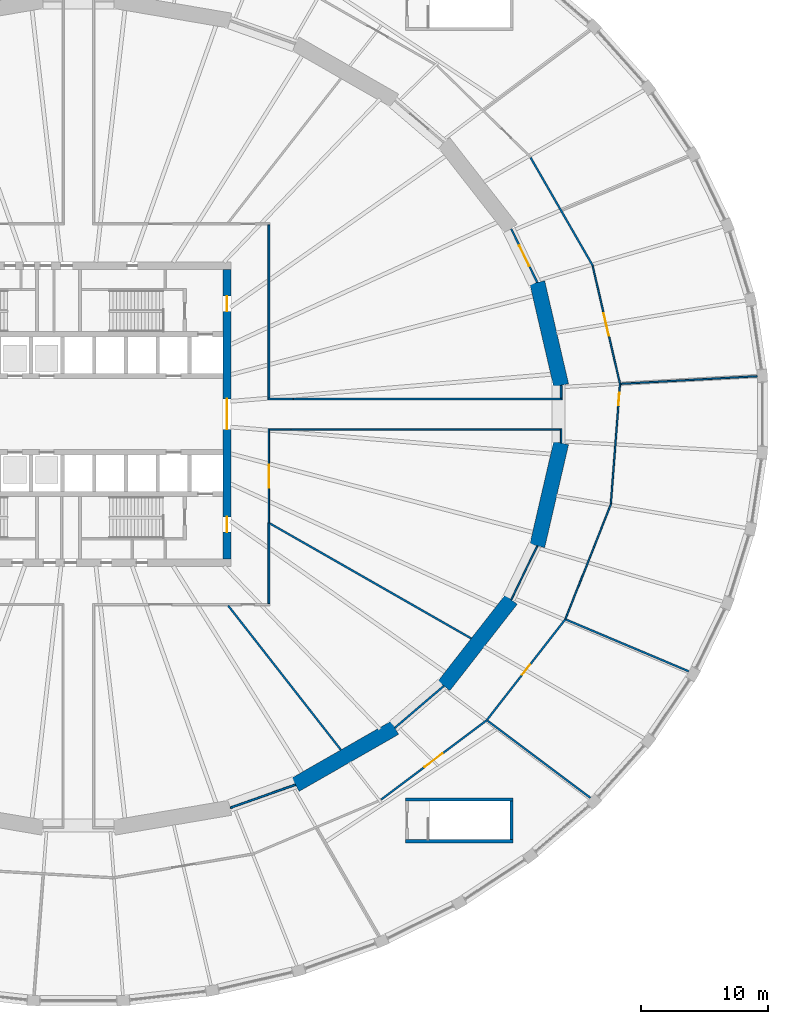
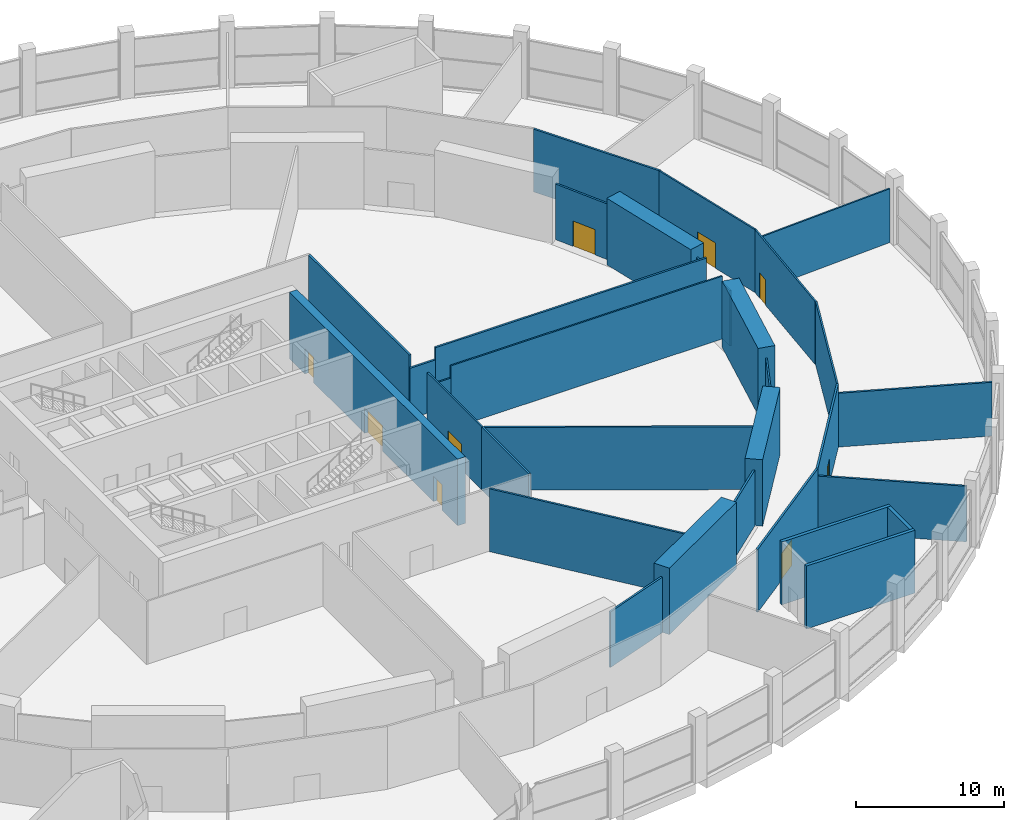
# One storey, part 22 of 26: 32 walls, 9 doors, 9 openings.
"""IFC4 building model written with IfcOpenShell, lengths in metres."""

from ifc_helpers import new_model, si_unit, direction, frame, frame_2d, origin, place, context, subcontext, project, spatial, polyline, rectangle, outline, extrude, material, layer, layer_set, type_object, element, fill, save


model = new_model("IFC4")

# Units and contexts
model_context = context("Model", 3, precision=1e-05, world=origin(), true_north=direction((0.0, 1.0)))
body_context = subcontext(model_context, "Body", "Model", "MODEL_VIEW")
ifc_project = project(units=[si_unit("LENGTHUNIT", "METRE"), si_unit("AREAUNIT", "SQUARE_METRE"), si_unit("VOLUMEUNIT", "CUBIC_METRE"), si_unit("PLANEANGLEUNIT", "RADIAN"), si_unit("MASSUNIT", "GRAM", prefix="KILO")], contexts=[model_context])

# Site, building, storey
site_placement = place(None, origin())
site = spatial("IfcSite", under=ifc_project, at=site_placement, CompositionType="ELEMENT")
building_placement = place(site_placement, origin())
building = spatial("IfcBuilding", under=site, at=building_placement, Name="Halqa Exchange Tower", CompositionType="ELEMENT")
storey_placement = place(building_placement, frame((0.0, 0.0, 18.0)))
storey = spatial("IfcBuildingStorey", under=building, at=storey_placement, Name="L03", CompositionType="ELEMENT", Elevation=18.0)

# Walls
ifc_material_1 = material(Name="Fire-rated gypsum board")
ifc_layer_1 = layer(ifc_material_1, 0.14990234375)
ifc_layer_set_1 = layer_set([ifc_layer_1], Name="Fire-rated gypsum board")
wall_type_1 = type_object("IfcWallType", Name="Fire partition EI 60 150", PredefinedType="PARTITIONING", material=ifc_layer_set_1)
wall_1_placement = place(storey_placement, frame((11.7880859375, -15.074462890625, 0.0), z_axis=(0.0, 0.0, 1.0), x_axis=(0.615848120598, -0.787864894735, 0.0)))
element("IfcWall", 1, at=wall_1_placement, inside=storey, type_object=wall_type_1, Name="L03-PWL-052", PredefinedType="PARTITIONING", context=body_context, shape_type="SweptSolid", body=[
    extrude(outline(polyline([(0.0, -0.074951171875), (14.427734375, -0.074951171875), (14.44921875, 0.074951171875), (0.0, 0.074951171875), (0.0, -0.074951171875)])), origin(), (0.0, 0.0, 1.0), 5.199951171875),
])
wall_2_placement = place(storey_placement, frame((11.966796875, -31.01123046875, 0.0), z_axis=(0.0, 0.0, 1.0), x_axis=(0.942814385805, 0.333318217204, 0.0)))
element("IfcWall", 2, at=wall_2_placement, inside=storey, type_object=wall_type_1, Name="L03-PWL-054", PredefinedType="PARTITIONING", context=body_context, shape_type="SweptSolid", body=[
    extrude(outline(polyline([(-0.012939453125, -0.074951171875), (5.448486328125, -0.074951171875), (5.421142578125, 0.074951171875), (0.012939453125, 0.074951171875), (-0.012939453125, -0.074951171875)])), origin(), (0.0, 0.0, 1.0), 4.60009765625),
])
wall_3_placement = place(storey_placement, frame((15.0, -8.55908203125, 0.0), z_axis=(0.0, 0.0, 1.0), x_axis=(0.0, -1.0, 0.0)))
element("IfcWall", 3, at=wall_3_placement, inside=storey, type_object=wall_type_1, Name="L03-PWL-057", PredefinedType="PARTITIONING", context=body_context, shape_type="SweptSolid", body=[
    extrude(rectangle(XDim=6.365966796875, YDim=0.14990234375, at=frame_2d((3.18310546875, 0.0))), origin(), (0.0, 0.0, 1.0), 5.199951171875),
])
wall_4_placement = place(storey_placement, frame((15.07421875, -8.602294921875, 0.0), z_axis=(0.0, 0.0, 1.0), x_axis=(0.868343386691, -0.495963469209, 0.0)))
element("IfcWall", 4, at=wall_4_placement, inside=storey, type_object=wall_type_1, Name="L03-PWL-058", PredefinedType="PARTITIONING", context=body_context, shape_type="SweptSolid", body=[
    extrude(outline(polyline([(0.0, -0.074951171875), (18.270751953125, -0.074951171875), (18.292236328125, 0.074951171875), (0.0, 0.074951171875), (0.0, -0.074951171875)])), origin(), (0.0, 0.0, 1.0), 5.199951171875),
])
wall_5_placement = place(storey_placement, frame((14.925048828125, 1.199951171875, 0.0), z_axis=(0.0, 0.0, 1.0), x_axis=(1.0, 0.0, 0.0)))
element("IfcWall", 5, at=wall_5_placement, inside=storey, type_object=wall_type_1, Name="L03-PWL-060", PredefinedType="PARTITIONING", context=body_context, shape_type="SweptSolid", body=[
    extrude(rectangle(XDim=1.992919921875, YDim=0.14990234375, at=frame_2d((0.99658203125, 0.0))), origin(), (0.0, 0.0, 1.0), 4.19189453125),
])
wall_6_placement = place(storey_placement, frame((15.0, 14.925048828125, 0.0), z_axis=(0.0, 0.0, 1.0), x_axis=(0.0, -1.0, 0.0)))
element("IfcWall", 6, at=wall_6_placement, inside=storey, type_object=wall_type_1, Name="L03-PWL-061", PredefinedType="PARTITIONING", context=body_context, shape_type="SweptSolid", body=[
    extrude(rectangle(XDim=13.650146484375, YDim=0.14990234375, at=frame_2d((6.8251953125, 0.0))), origin(), (0.0, 0.0, 1.0), 5.199951171875),
])
wall_7_placement = place(storey_placement, frame((24.931884765625, -24.70849609375, 0.0), z_axis=(0.0, 0.0, 1.0), x_axis=(0.760084552743, 0.649824185978, 0.0)))
element("IfcWall", 7, at=wall_7_placement, inside=storey, type_object=wall_type_1, Name="L03-PWL-066", PredefinedType="PARTITIONING", context=body_context, shape_type="SweptSolid", body=[
    extrude(outline(polyline([(-0.01416015625, -0.074951171875), (5.09033203125, -0.074951171875), (5.0595703125, 0.074951171875), (0.01416015625, 0.074951171875), (-0.01416015625, -0.074951171875)])), origin(), (0.0, 0.0, 1.0), 4.60009765625),
])

# Wall, opening, door
wall_8_placement = place(storey_placement, frame((32.186279296875, -24.09765625, 0.0), z_axis=(0.0, 0.0, 1.0), x_axis=(-0.799200559321, -0.601064444116, 0.0)))
wall_8 = element("IfcWall", 8, at=wall_8_placement, inside=storey, type_object=wall_type_1, Name="L03-PWL-069", PredefinedType="PARTITIONING", context=body_context, shape_type="SweptSolid", body=[
    extrude(rectangle(XDim=10.4169921875, YDim=0.14990234375, at=frame_2d((5.20849609375, 0.0))), origin(), (0.0, 0.0, 1.0), 5.199951171875),
])
opening_1_placement = place(wall_8_placement, frame((4.369384765625, 0.0, 0.0)))
opening_1 = element("IfcOpeningElement", 9, at=opening_1_placement, cuts=wall_8, Name="Opening L03-19", PredefinedType="OPENING", context=body_context, shape_type="SweptSolid", body=[
    extrude(rectangle(XDim=1.800048828125, YDim=2.10009765625, at=frame_2d((0.89990234375, 1.050048828125))), frame((0.0, 0.0869140625, 0.0), z_axis=(0.0, -1.0, 0.0), x_axis=(1.0, 0.0, 0.0)), (0.0, 0.0, 1.0), 0.173828125),
])
ifc_material_2 = material(Name="Steel fire door leaf", Category="steel")
door_type_1 = type_object("IfcDoorType", Name="Fire door FD30S double 1800 x 2100", OperationType="DOUBLE_DOOR_SINGLE_SWING", PredefinedType="DOOR", material=ifc_material_2)
door_1_placement = place(opening_1_placement, origin())
door_1 = element("IfcDoor", 10, at=door_1_placement, inside=storey, type_object=door_type_1, Name="L03-IDR-019", OperationType="DOUBLE_DOOR_SINGLE_SWING", OverallHeight=2.10009765625, OverallWidth=1.800048828125, PredefinedType="DOOR", context=body_context, shape_type="SweptSolid", body=[
    extrude(rectangle(XDim=1.800048828125, YDim=2.10009765625, at=frame_2d((0.89990234375, 1.050048828125))), frame((0.0, 0.02490234375, 0.0), z_axis=(0.0, -1.0, 0.0), x_axis=(1.0, 0.0, 0.0)), (0.0, 0.0, 1.0), 0.050048828125),
])
fill(opening_1, door_1)

# Walls
wall_9_placement = place(storey_placement, frame((32.227294921875, -24.15283203125, 0.0), z_axis=(0.0, 0.0, 1.0), x_axis=(0.800465305701, -0.599379090701, 0.0)))
element("IfcWall", 11, at=wall_9_placement, inside=storey, type_object=wall_type_1, Name="L03-PWL-070", PredefinedType="PARTITIONING", context=body_context, shape_type="SweptSolid", body=[
    extrude(outline(polyline([(0.0, -0.074951171875), (10.1201171875, -0.074951171875), (10.1435546875, 0.074951171875), (0.0, 0.074951171875), (0.0, -0.074951171875)])), origin(), (0.0, 0.0, 1.0), 4.60009765625),
])
wall_10_placement = place(storey_placement, frame((35.623779296875, 20.21630859375, 0.0), z_axis=(0.0, 0.0, 1.0), x_axis=(0.49865472402, -0.866800707321, 0.0)))
element("IfcWall", 12, at=wall_10_placement, inside=storey, type_object=wall_type_1, Name="L03-PWL-072", PredefinedType="PARTITIONING", context=body_context, shape_type="SweptSolid", body=[
    extrude(rectangle(XDim=9.867919921875, YDim=0.14990234375, at=frame_2d((4.93408203125, 0.0))), origin(), (0.0, 0.0, 1.0), 5.199951171875),
])

# Wall, opening, door
wall_11_placement = place(storey_placement, frame((36.14990234375, 10.3798828125, 0.0), z_axis=(0.0, 0.0, 1.0), x_axis=(-0.436936398764, 0.899492403212, 0.0)))
wall_11 = element("IfcWall", 13, at=wall_11_placement, inside=storey, type_object=wall_type_1, Name="L03-PWL-073", PredefinedType="PARTITIONING", context=body_context, shape_type="SweptSolid", body=[
    extrude(outline(polyline([(-0.01708984375, -0.074951171875), (4.7138671875, -0.074951171875), (4.68212890625, 0.074951171875), (0.01708984375, 0.074951171875), (-0.01708984375, -0.074951171875)])), origin(), (0.0, 0.0, 1.0), 4.60009765625),
])
opening_2_placement = place(wall_11_placement, frame((1.44580078125, 0.0, 0.0)))
opening_2 = element("IfcOpeningElement", 14, at=opening_2_placement, cuts=wall_11, Name="Opening L03-02", PredefinedType="OPENING", context=body_context, shape_type="SweptSolid", body=[
    extrude(rectangle(XDim=1.800048828125, YDim=2.10009765625, at=frame_2d((0.89990234375, 1.050048828125))), frame((0.0, 0.0869140625, 0.0), z_axis=(0.0, -1.0, 0.0), x_axis=(1.0, 0.0, 0.0)), (0.0, 0.0, 1.0), 0.173828125),
])
door_2_placement = place(opening_2_placement, origin())
door_2 = element("IfcDoor", 15, at=door_2_placement, inside=storey, type_object=door_type_1, Name="L03-IDR-002", OperationType="DOUBLE_DOOR_SINGLE_SWING", OverallHeight=2.10009765625, OverallWidth=1.800048828125, PredefinedType="DOOR", context=body_context, shape_type="SweptSolid", body=[
    extrude(rectangle(XDim=1.800048828125, YDim=2.10009765625, at=frame_2d((0.89990234375, 1.050048828125))), frame((0.0, 0.02490234375, 0.0), z_axis=(0.0, -1.0, 0.0), x_axis=(1.0, 0.0, 0.0)), (0.0, 0.0, 1.0), 0.050048828125),
])
fill(opening_2, door_2)

# Wall
wall_12_placement = place(storey_placement, frame((38.030029296875, 1.27490234375, 0.0), z_axis=(0.0, 0.0, 1.0), x_axis=(0.0, 1.0, 0.0)))
element("IfcWall", 16, at=wall_12_placement, inside=storey, type_object=wall_type_1, Name="L03-PWL-076", PredefinedType="PARTITIONING", context=body_context, shape_type="SweptSolid", body=[
    extrude(outline(polyline([(0.0, -0.074951171875), (1.010009765625, -0.074951171875), (0.975341796875, 0.074951171875), (0.0, 0.074951171875), (0.0, -0.074951171875)])), origin(), (0.0, 0.0, 1.0), 4.60009765625),
])

# Wall, opening, door
wall_13_placement = place(storey_placement, frame((38.37255859375, -16.143798828125, 0.0), z_axis=(0.0, 0.0, 1.0), x_axis=(-0.614351524498, -0.789032448222, 0.0)))
wall_13 = element("IfcWall", 17, at=wall_13_placement, inside=storey, type_object=wall_type_1, Name="L03-PWL-078", PredefinedType="PARTITIONING", context=body_context, shape_type="SweptSolid", body=[
    extrude(rectangle(XDim=10.07568359375, YDim=0.14990234375, at=frame_2d((5.037841796875, 0.0))), origin(), (0.0, 0.0, 1.0), 5.199951171875),
])
opening_3_placement = place(wall_13_placement, frame((4.558349609375, 0.0, 0.0)))
opening_3 = element("IfcOpeningElement", 18, at=opening_3_placement, cuts=wall_13, Name="Opening L03-30", PredefinedType="OPENING", context=body_context, shape_type="SweptSolid", body=[
    extrude(rectangle(XDim=1.0, YDim=2.10009765625, at=frame_2d((0.5, 1.050048828125))), frame((0.0, 0.0869140625, 0.0), z_axis=(0.0, -1.0, 0.0), x_axis=(1.0, 0.0, 0.0)), (0.0, 0.0, 1.0), 0.173828125),
])
door_type_2 = type_object("IfcDoorType", Name="Fire door FD30S 1000 x 2100", OperationType="SINGLE_SWING_LEFT", PredefinedType="DOOR", material=ifc_material_2)
door_3_placement = place(opening_3_placement, origin())
door_3 = element("IfcDoor", 19, at=door_3_placement, inside=storey, type_object=door_type_2, Name="L03-IDR-030", OperationType="SINGLE_SWING_RIGHT", OverallHeight=2.10009765625, OverallWidth=1.0, PredefinedType="DOOR", context=body_context, shape_type="SweptSolid", body=[
    extrude(rectangle(XDim=1.0, YDim=2.10009765625, at=frame_2d((0.5, 1.050048828125))), frame((0.0, 0.02490234375, 0.0), z_axis=(0.0, -1.0, 0.0), x_axis=(1.0, 0.0, 0.0)), (0.0, 0.0, 1.0), 0.050048828125),
])
fill(opening_3, door_3)

# Walls
wall_14_placement = place(storey_placement, frame((38.430908203125, -16.18994140625, 0.0), z_axis=(0.0, 0.0, 1.0), x_axis=(0.921494644687, -0.388391065568, 0.0)))
element("IfcWall", 20, at=wall_14_placement, inside=storey, type_object=wall_type_1, Name="L03-PWL-079", PredefinedType="PARTITIONING", context=body_context, shape_type="SweptSolid", body=[
    extrude(outline(polyline([(0.0, -0.074951171875), (10.4775390625, -0.074951171875), (10.49609375, 0.074951171875), (0.0, 0.074951171875), (0.0, -0.074951171875)])), origin(), (0.0, 0.0, 1.0), 4.447021484375),
])
wall_15_placement = place(storey_placement, frame((16.91796875, 1.199951171875, 0.0), z_axis=(0.0, 0.0, 1.0), x_axis=(1.0, 0.0, 0.0)))
element("IfcWall", 21, at=wall_15_placement, inside=storey, type_object=wall_type_1, Name="L03-PWL-087", PredefinedType="PARTITIONING", context=body_context, shape_type="SweptSolid", body=[
    extrude(rectangle(XDim=21.18701171875, YDim=0.14990234375, at=frame_2d((10.593505859375, 0.0))), origin(), (0.0, 0.0, 1.0), 5.199951171875),
])

# Wall, opening, door
ifc_material_3 = material(Name="Fire-rated glazing", Category="glass")
ifc_layer_2 = layer(ifc_material_3, 0.1201171875)
ifc_layer_set_2 = layer_set([ifc_layer_2], Name="Fire-rated glazing")
wall_type_2 = type_object("IfcWallType", Name="Glazed fire partition EI 60 120", PredefinedType="PARTITIONING", material=ifc_layer_set_2)
wall_16_placement = place(storey_placement, frame((15.0, -1.139892578125, 0.0), z_axis=(0.0, 0.0, 1.0), x_axis=(0.0, -1.0, 0.0)))
wall_16 = element("IfcWall", 22, at=wall_16_placement, inside=storey, type_object=wall_type_2, Name="L03-PWL-059", PredefinedType="PARTITIONING", context=body_context, shape_type="SweptSolid", body=[
    extrude(rectangle(XDim=7.420166015625, YDim=0.1201171875, at=frame_2d((3.7099609375, 0.0))), origin(), (0.0, 0.0, 1.0), 5.199951171875),
])
opening_4_placement = place(wall_16_placement, frame((2.84228515625, 0.0, 0.0)))
opening_4 = element("IfcOpeningElement", 23, at=opening_4_placement, cuts=wall_16, Name="Opening L03-15", PredefinedType="OPENING", context=body_context, shape_type="SweptSolid", body=[
    extrude(rectangle(XDim=1.800048828125, YDim=2.10009765625, at=frame_2d((0.89990234375, 1.050048828125))), frame((0.0, 0.072021484375, 0.0), z_axis=(0.0, -1.0, 0.0), x_axis=(1.0, 0.0, 0.0)), (0.0, 0.0, 1.0), 0.14404296875),
])
door_4_placement = place(opening_4_placement, origin())
door_4 = element("IfcDoor", 24, at=door_4_placement, inside=storey, type_object=door_type_1, Name="L03-IDR-015", OperationType="DOUBLE_DOOR_SINGLE_SWING", OverallHeight=2.10009765625, OverallWidth=1.800048828125, PredefinedType="DOOR", context=body_context, shape_type="SweptSolid", body=[
    extrude(rectangle(XDim=1.800048828125, YDim=2.10009765625, at=frame_2d((0.89990234375, 1.050048828125))), frame((0.0, 0.02490234375, 0.0), z_axis=(0.0, -1.0, 0.0), x_axis=(1.0, 0.0, 0.0)), (0.0, 0.0, 1.0), 0.050048828125),
])
fill(opening_4, door_4)

# Walls
wall_17_placement = place(storey_placement, frame((34.1005859375, -14.608642578125, 0.0), z_axis=(0.0, 0.0, 1.0), x_axis=(0.436102687495, 0.899896908518, 0.0)))
element("IfcWall", 25, at=wall_17_placement, inside=storey, type_object=wall_type_2, Name="L03-PWL-071", PredefinedType="PARTITIONING", context=body_context, shape_type="SweptSolid", body=[
    extrude(outline(polyline([(-0.012939453125, -0.06005859375), (4.712890625, -0.06005859375), (4.685546875, 0.06005859375), (0.012939453125, 0.06005859375), (-0.012939453125, -0.06005859375)])), origin(), (0.0, 0.0, 1.0), 4.60009765625),
])
wall_18_placement = place(storey_placement, frame((38.030029296875, -2.267578125, 0.0), z_axis=(0.0, 0.0, 1.0), x_axis=(0.0, 1.0, 0.0)))
element("IfcWall", 26, at=wall_18_placement, inside=storey, type_object=wall_type_2, Name="L03-PWL-074", PredefinedType="PARTITIONING", context=body_context, shape_type="SweptSolid", body=[
    extrude(outline(polyline([(-0.013916015625, -0.06005859375), (1.127685546875, -0.06005859375), (1.127685546875, 0.06005859375), (0.013916015625, 0.06005859375), (-0.013916015625, -0.06005859375)])), origin(), (0.0, 0.0, 1.0), 4.60009765625),
])
wall_19_placement = place(storey_placement, frame((37.969970703125, -1.199951171875, 0.0), z_axis=(0.0, 0.0, 1.0), x_axis=(-1.0, 0.0, 0.0)))
element("IfcWall", 27, at=wall_19_placement, inside=storey, type_object=wall_type_2, Name="L03-PWL-075", PredefinedType="PARTITIONING", context=body_context, shape_type="SweptSolid", body=[
    extrude(rectangle(XDim=21.229736328125, YDim=0.1201171875, at=frame_2d((10.61474609375, 0.0))), origin(), (0.0, 0.0, 1.0), 5.199951171875),
])

# Wall, opening, door
wall_20_placement = place(storey_placement, frame((40.520751953125, 11.650390625, 0.0), z_axis=(0.0, 0.0, 1.0), x_axis=(0.226075864332, -0.974109697912, 0.0)))
wall_20 = element("IfcWall", 28, at=wall_20_placement, inside=storey, type_object=wall_type_2, Name="L03-PWL-081", PredefinedType="PARTITIONING", context=body_context, shape_type="SweptSolid", body=[
    extrude(rectangle(XDim=9.52685546875, YDim=0.1201171875, at=frame_2d((4.763427734375, 0.0))), origin(), (0.0, 0.0, 1.0), 5.199951171875),
])
opening_5_placement = place(wall_20_placement, frame((3.807373046875, 0.0, 0.0)))
opening_5 = element("IfcOpeningElement", 29, at=opening_5_placement, cuts=wall_20, Name="Opening L03-20", PredefinedType="OPENING", context=body_context, shape_type="SweptSolid", body=[
    extrude(rectangle(XDim=1.800048828125, YDim=2.10009765625, at=frame_2d((0.89990234375, 1.050048828125))), frame((0.0, 0.072021484375, 0.0), z_axis=(0.0, -1.0, 0.0), x_axis=(1.0, 0.0, 0.0)), (0.0, 0.0, 1.0), 0.14404296875),
])
door_5_placement = place(opening_5_placement, origin())
door_5 = element("IfcDoor", 30, at=door_5_placement, inside=storey, type_object=door_type_1, Name="L03-IDR-020", OperationType="DOUBLE_DOOR_SINGLE_SWING", OverallHeight=2.10009765625, OverallWidth=1.800048828125, PredefinedType="DOOR", context=body_context, shape_type="SweptSolid", body=[
    extrude(rectangle(XDim=1.800048828125, YDim=2.10009765625, at=frame_2d((0.89990234375, 1.050048828125))), frame((0.0, 0.02490234375, 0.0), z_axis=(0.0, -1.0, 0.0), x_axis=(1.0, 0.0, 0.0)), (0.0, 0.0, 1.0), 0.050048828125),
])
fill(opening_5, door_5)

# Wall
wall_21_placement = place(storey_placement, frame((41.97216796875, -7.049072265625, 0.0), z_axis=(0.0, 0.0, 1.0), x_axis=(-0.368548362407, -0.929608575997, 0.0)))
element("IfcWall", 31, at=wall_21_placement, inside=storey, type_object=wall_type_2, Name="L03-PWL-082", PredefinedType="PARTITIONING", context=body_context, shape_type="SweptSolid", body=[
    extrude(rectangle(XDim=9.7802734375, YDim=0.1201171875, at=frame_2d((4.89013671875, 0.0))), origin(), (0.0, 0.0, 1.0), 5.199951171875),
])

# Wall, opening, door
wall_22_placement = place(storey_placement, frame((41.947021484375, -7.039794921875, 0.0), z_axis=(0.0, 0.0, 1.0), x_axis=(0.076437580216, 0.997074368506, 0.0)))
wall_22 = element("IfcWall", 32, at=wall_22_placement, inside=storey, type_object=wall_type_2, Name="L03-PWL-083", PredefinedType="PARTITIONING", context=body_context, shape_type="SweptSolid", body=[
    extrude(rectangle(XDim=9.51806640625, YDim=0.1201171875, at=frame_2d((4.759033203125, 0.0))), origin(), (0.0, 0.0, 1.0), 5.199951171875),
])
opening_6_placement = place(wall_22_placement, frame((7.7587890625, 0.0, 0.0)))
opening_6 = element("IfcOpeningElement", 33, at=opening_6_placement, cuts=wall_22, Name="Opening L03-31", PredefinedType="OPENING", context=body_context, shape_type="SweptSolid", body=[
    extrude(rectangle(XDim=1.0, YDim=2.10009765625, at=frame_2d((0.5, 1.050048828125))), frame((0.0, 0.072021484375, 0.0), z_axis=(0.0, -1.0, 0.0), x_axis=(1.0, 0.0, 0.0)), (0.0, 0.0, 1.0), 0.14404296875),
])
door_6_placement = place(opening_6_placement, frame((1.0, 0.0, 0.0), z_axis=(0.0, 0.0, 1.0), x_axis=(-1.0, 0.0, 0.0)))
door_6 = element("IfcDoor", 34, at=door_6_placement, inside=storey, type_object=door_type_2, Name="L03-IDR-031", OperationType="SINGLE_SWING_RIGHT", OverallHeight=2.10009765625, OverallWidth=1.0, PredefinedType="DOOR", context=body_context, shape_type="SweptSolid", body=[
    extrude(rectangle(XDim=1.0, YDim=2.10009765625, at=frame_2d((0.5, 1.050048828125))), frame((0.0, 0.02490234375, 0.0), z_axis=(0.0, -1.0, 0.0), x_axis=(1.0, 0.0, 0.0)), (0.0, 0.0, 1.0), 0.050048828125),
])
fill(opening_6, door_6)

# Walls
wall_23_placement = place(storey_placement, frame((53.48681640625, 2.991943359375, 0.0), z_axis=(0.0, 0.0, 1.0), x_axis=(-0.998454909458, -0.055567920423, 0.0)))
element("IfcWall", 35, at=wall_23_placement, inside=storey, type_object=wall_type_2, Name="L03-PWL-084", PredefinedType="PARTITIONING", context=body_context, shape_type="SweptSolid", body=[
    extrude(outline(polyline([(0.001220703125, -0.06005859375), (10.77294921875, -0.06005859375), (10.77294921875, 0.06005859375), (-0.001220703125, 0.06005859375), (0.001220703125, -0.06005859375)])), origin(), (0.0, 0.0, 1.0), 4.447021484375),
])
wall_24_placement = place(storey_placement, frame((16.740234375, -1.199951171875, 0.0), z_axis=(0.0, 0.0, 1.0), x_axis=(-1.0, 0.0, 0.0)))
element("IfcWall", 36, at=wall_24_placement, inside=storey, type_object=wall_type_2, Name="L03-PWL-088", PredefinedType="PARTITIONING", context=body_context, shape_type="SweptSolid", body=[
    extrude(rectangle(XDim=1.68017578125, YDim=0.1201171875, at=frame_2d((0.840087890625, 0.0))), origin(), (0.0, 0.0, 1.0), 4.19189453125),
])

# Wall, openings, doors
ifc_material_4 = material(Name="Concrete C80/95", Category="concrete")
ifc_layer_3 = layer(ifc_material_4, 0.60009765625)
ifc_layer_set_3 = layer_set([ifc_layer_3], Name="Concrete C80/95")
wall_type_3 = type_object("IfcWallType", Name="RC core wall 600 C80/95", PredefinedType="SHEAR", material=ifc_layer_set_3)
wall_25_placement = place(storey_placement, frame((11.699951171875, -11.39990234375, 0.0), z_axis=(0.0, 0.0, 1.0), x_axis=(0.0, 1.0, 0.0)))
wall_25 = element("IfcWall", 37, at=wall_25_placement, inside=storey, type_object=wall_type_3, Name="Core wall east", PredefinedType="SHEAR", context=body_context, shape_type="SweptSolid", body=[
    extrude(rectangle(XDim=22.7998046875, YDim=0.60009765625, at=frame_2d((11.39990234375, 0.0))), origin(), (0.0, 0.0, 1.0), 5.5),
])
opening_7_placement = place(wall_25_placement, frame((10.199951171875, 0.0, 0.0)))
opening_7 = element("IfcOpeningElement", 38, at=opening_7_placement, cuts=wall_25, Name="Opening L03-C14", PredefinedType="OPENING", context=body_context, shape_type="SweptSolid", body=[
    extrude(rectangle(XDim=2.39990234375, YDim=2.10009765625, at=frame_2d((1.199951171875, 1.050048828125))), frame((0.0, 0.31201171875, 0.0), z_axis=(0.0, -1.0, 0.0), x_axis=(1.0, 0.0, 0.0)), (0.0, 0.0, 1.0), 0.6240234375),
])
opening_8_placement = place(wall_25_placement, frame((19.5, 0.0, 0.0)))
opening_8 = element("IfcOpeningElement", 39, at=opening_8_placement, cuts=wall_25, Name="Opening L03-C23", PredefinedType="OPENING", context=body_context, shape_type="SweptSolid", body=[
    extrude(rectangle(XDim=1.199951171875, YDim=2.10009765625, at=frame_2d((0.60009765625, 1.050048828125))), frame((0.0, 0.31201171875, 0.0), z_axis=(0.0, -1.0, 0.0), x_axis=(1.0, 0.0, 0.0)), (0.0, 0.0, 1.0), 0.6240234375),
])
opening_9_placement = place(wall_25_placement, frame((2.10009765625, 0.0, 0.0)))
opening_9 = element("IfcOpeningElement", 40, at=opening_9_placement, cuts=wall_25, Name="Opening L03-C24", PredefinedType="OPENING", context=body_context, shape_type="SweptSolid", body=[
    extrude(rectangle(XDim=1.199951171875, YDim=2.10009765625, at=frame_2d((0.60009765625, 1.050048828125))), frame((0.0, 0.31201171875, 0.0), z_axis=(0.0, -1.0, 0.0), x_axis=(1.0, 0.0, 0.0)), (0.0, 0.0, 1.0), 0.6240234375),
])
door_type_3 = type_object("IfcDoorType", Name="Firefighting lobby door FD90 1200 x 2100", OperationType="SINGLE_SWING_RIGHT", PredefinedType="DOOR", material=ifc_material_2)
door_7_placement = place(opening_8_placement, origin())
door_7 = element("IfcDoor", 41, at=door_7_placement, inside=storey, type_object=door_type_3, Name="Firefighting lobby door", OperationType="SINGLE_SWING_RIGHT", OverallHeight=2.10009765625, OverallWidth=1.199951171875, PredefinedType="DOOR", context=body_context, shape_type="SweptSolid", body=[
    extrude(rectangle(XDim=1.199951171875, YDim=2.10009765625, at=frame_2d((0.60009765625, 1.050048828125))), frame((0.0, 0.02490234375, 0.0), z_axis=(0.0, -1.0, 0.0), x_axis=(1.0, 0.0, 0.0)), (0.0, 0.0, 1.0), 0.050048828125),
])
fill(opening_8, door_7)
door_8_placement = place(opening_9_placement, origin())
door_8 = element("IfcDoor", 42, at=door_8_placement, inside=storey, type_object=door_type_3, Name="Firefighting lobby door", OperationType="SINGLE_SWING_LEFT", OverallHeight=2.10009765625, OverallWidth=1.199951171875, PredefinedType="DOOR", context=body_context, shape_type="SweptSolid", body=[
    extrude(rectangle(XDim=1.199951171875, YDim=2.10009765625, at=frame_2d((0.60009765625, 1.050048828125))), frame((0.0, 0.02490234375, 0.0), z_axis=(0.0, -1.0, 0.0), x_axis=(1.0, 0.0, 0.0)), (0.0, 0.0, 1.0), 0.050048828125),
])
fill(opening_9, door_8)
door_type_4 = type_object("IfcDoorType", Name="Lobby double door FD60 2400 x 2100", OperationType="DOUBLE_DOOR_SINGLE_SWING", PredefinedType="DOOR", material=ifc_material_2)
door_9_placement = place(opening_7_placement, frame((2.39990234375, 0.0, 0.0), z_axis=(0.0, 0.0, 1.0), x_axis=(-1.0, 0.0, 0.0)))
door_9 = element("IfcDoor", 43, at=door_9_placement, inside=storey, type_object=door_type_4, Name="Lift lobby double door", OperationType="DOUBLE_DOOR_SINGLE_SWING", OverallHeight=2.10009765625, OverallWidth=2.39990234375, PredefinedType="DOOR", context=body_context, shape_type="SweptSolid", body=[
    extrude(rectangle(XDim=2.39990234375, YDim=2.10009765625, at=frame_2d((1.199951171875, 1.050048828125))), frame((0.0, 0.02490234375, 0.0), z_axis=(0.0, -1.0, 0.0), x_axis=(1.0, 0.0, 0.0)), (0.0, 0.0, 1.0), 0.050048828125),
])
fill(opening_7, door_9)

# Walls
ifc_layer_4 = layer(ifc_material_4, 1.199951171875)
ifc_layer_set_4 = layer_set([ifc_layer_4], Name="Concrete C80/95")
wall_type_4 = type_object("IfcWallType", Name="RC ring pier 1200 C80/95", PredefinedType="SHEAR", material=ifc_layer_set_4)
wall_26_placement = place(storey_placement, frame((38.03173828125, 2.26708984375, 0.0), z_axis=(0.0, 0.0, 1.0), x_axis=(-0.226058185805, 0.974113800657, 0.0)))
element("IfcWall", 44, at=wall_26_placement, inside=storey, type_object=wall_type_4, Name="Ring pier 1", PredefinedType="SHEAR", context=body_context, shape_type="SweptSolid", body=[
    extrude(rectangle(XDim=8.328857421875, YDim=1.199951171875, at=frame_2d((4.16455078125, 0.0))), origin(), (0.0, 0.0, 1.0), 5.5),
])
wall_27_placement = place(storey_placement, frame((17.088623046875, -29.197509765625, 0.0), z_axis=(0.0, 0.0, 1.0), x_axis=(0.867760656864, 0.496982336103, 0.0)))
element("IfcWall", 45, at=wall_27_placement, inside=storey, type_object=wall_type_4, Name="Ring pier 14", PredefinedType="SHEAR", context=body_context, shape_type="SweptSolid", body=[
    extrude(rectangle(XDim=9.037841796875, YDim=1.199951171875, at=frame_2d((4.51904296875, 0.0))), origin(), (0.0, 0.0, 1.0), 5.5),
])
wall_28_placement = place(storey_placement, frame((28.790283203125, -21.412353515625, 0.0), z_axis=(0.0, 0.0, 1.0), x_axis=(0.614825322247, 0.788663314174, 0.0)))
element("IfcWall", 46, at=wall_28_placement, inside=storey, type_object=wall_type_4, Name="Ring pier 15", PredefinedType="SHEAR", context=body_context, shape_type="SweptSolid", body=[
    extrude(rectangle(XDim=8.631591796875, YDim=1.199951171875, at=frame_2d((4.31591796875, 0.0))), origin(), (0.0, 0.0, 1.0), 5.5),
])
wall_29_placement = place(storey_placement, frame((36.14892578125, -10.38037109375, 0.0), z_axis=(0.0, 0.0, 1.0), x_axis=(0.226058185805, 0.974113800657, 0.0)))
element("IfcWall", 47, at=wall_29_placement, inside=storey, type_object=wall_type_4, Name="Ring pier 16", PredefinedType="SHEAR", context=body_context, shape_type="SweptSolid", body=[
    extrude(rectangle(XDim=8.328857421875, YDim=1.199951171875, at=frame_2d((4.16455078125, 0.0))), origin(), (0.0, 0.0, 1.0), 5.5),
])
ifc_material_5 = material(Name="Concrete C30/37", Category="concrete")
ifc_layer_5 = layer(ifc_material_5, 0.25)
ifc_layer_set_5 = layer_set([ifc_layer_5], Name="Concrete C30/37")
wall_type_5 = type_object("IfcWallType", Name="RC stair wall 250 C30/37", PredefinedType="SHEAR", material=ifc_layer_set_5)
for number, where, z_axis, x_axis, name in (
    (48, (25.75, -30.35009765625, 0.0), (0.0, 0.0, 1.0), (1.0, 0.0, 0.0), "Stair PS2 wall north"),
    (49, (25.75, -33.64990234375, 0.0), (0.0, 0.0, 1.0), (1.0, 0.0, 0.0), "Stair PS2 wall south"),
):
    element("IfcWall", number, at=place(storey_placement, frame(where, z_axis=z_axis, x_axis=x_axis)), inside=storey, type_object=wall_type_5, Name=name, PredefinedType="SHEAR", context=body_context, shape_type="SweptSolid", body=[
        extrude(rectangle(XDim=8.5, YDim=0.25, at=frame_2d((4.25, 0.0))), origin(), (0.0, 0.0, 1.0), 5.199951171875),
    ])
wall_30_placement = place(storey_placement, frame((34.125, -33.52490234375, 0.0), z_axis=(0.0, 0.0, 1.0), x_axis=(0.0, 1.0, 0.0)))
element("IfcWall", 50, at=wall_30_placement, inside=storey, type_object=wall_type_5, Name="Stair PS2 wall east", PredefinedType="SHEAR", context=body_context, shape_type="SweptSolid", body=[
    extrude(rectangle(XDim=3.0498046875, YDim=0.25, at=frame_2d((1.52490234375, 0.0))), origin(), (0.0, 0.0, 1.0), 5.199951171875),
])

save(model, "model.ifc")
